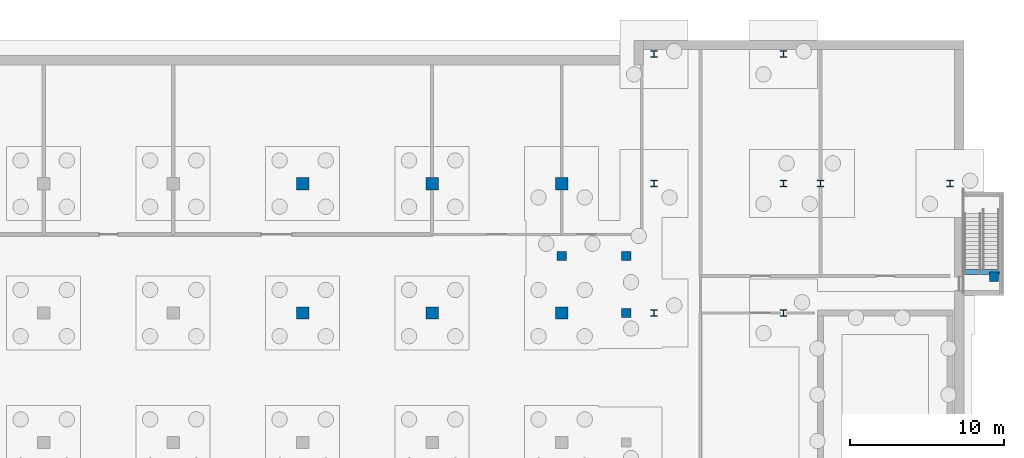
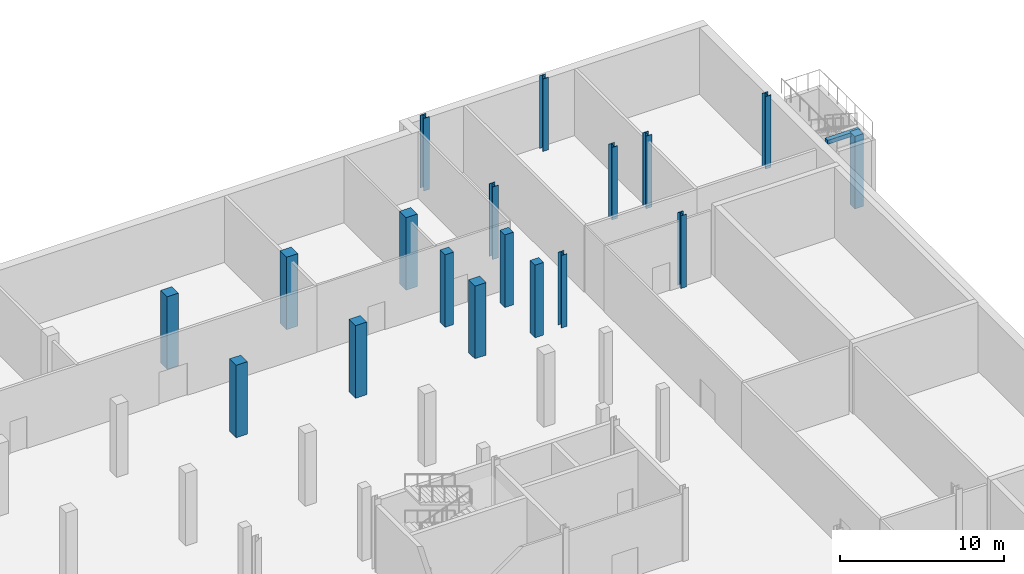
# One storey, part 12 of 29: 18 columns, 1 beam.
"""IFC4 building model written with IfcOpenShell, lengths in metres."""

from ifc_helpers import new_model, si_unit, direction, frame, origin, origin_2d, place, context, subcontext, project, spatial, rectangle, i_section, extrude, material, material_profile, profile_set, type_object, element, save


model = new_model("IFC4")

# Units and contexts
model_context = context("Model", 3, precision=1e-05, world=origin(), true_north=direction((0.0, 1.0)))
body_context = subcontext(model_context, "Body", "Model", "MODEL_VIEW")
ifc_project = project(units=[si_unit("LENGTHUNIT", "METRE"), si_unit("AREAUNIT", "SQUARE_METRE"), si_unit("VOLUMEUNIT", "CUBIC_METRE"), si_unit("PLANEANGLEUNIT", "RADIAN"), si_unit("MASSUNIT", "GRAM", prefix="KILO")], contexts=[model_context])

# Site, building, storey
site_placement = place(None, origin())
site = spatial("IfcSite", under=ifc_project, at=site_placement, CompositionType="ELEMENT")
building_placement = place(site_placement, origin())
building = spatial("IfcBuilding", under=site, at=building_placement, Name="Cresset Court Congress Hotel", CompositionType="ELEMENT")
storey_placement = place(building_placement, frame((0.0, 0.0, -5.39990234375)))
storey = spatial("IfcBuildingStorey", under=building, at=storey_placement, Name="B1", CompositionType="ELEMENT", Elevation=-5.39990234375)

# Columns
ifc_material_1 = material(Name="Concrete C40", Category="concrete")
ifc_material_profile_1 = material_profile(ifc_material_1, rectangle(XDim=0.60009765625, YDim=0.60009765625, at=origin_2d()), Name="RC600x600")
ifc_profile_set_1 = profile_set([ifc_material_profile_1], Name="Concrete C40")
column_type_1 = type_object("IfcColumnType", Name="RC column 600x600", PredefinedType="COLUMN", material=ifc_profile_set_1)
for number, where, z_axis, x_axis, name in (
    (1, (155.39990234375, 42.0, 0.0), (0.0, 0.0, 1.0), (1.0, 0.0, 0.0), "Court column D21"),
    (2, (151.199951171875, 45.699951171875, 0.0), (0.0, 0.0, 1.0), (1.0, 0.0, 0.0), "Court column D22"),
    (3, (155.39990234375, 45.699951171875, 0.0), (0.0, 0.0, 1.0), (1.0, 0.0, 0.0), "Court column D23"),
):
    element("IfcColumn", number, at=place(storey_placement, frame(where, z_axis=z_axis, x_axis=x_axis)), inside=storey, type_object=column_type_1, Name=name, PredefinedType="COLUMN", context=body_context, shape_type="SweptSolid", body=[
        extrude(rectangle(XDim=0.60009765625, YDim=0.60009765625, at=origin_2d()), origin(), (0.0, 0.0, 1.0), 5.39990234375),
    ])
column_placement = place(storey_placement, frame((179.25, 44.35009765625, -0.2001953125), z_axis=(0.0, 0.0, 1.0), x_axis=(1.0, 0.0, 0.0)))
element("IfcColumn", 4, at=column_placement, inside=storey, type_object=column_type_1, Name="Stair column A3 B1", PredefinedType="COLUMN", context=body_context, shape_type="SweptSolid", body=[
    extrude(rectangle(XDim=0.60009765625, YDim=0.60009765625, at=origin_2d()), origin(), (0.0, 0.0, 1.0), 5.400146484375),
])
ifc_material_2 = material(Name="Concrete C50", Category="concrete")
ifc_material_profile_2 = material_profile(ifc_material_2, rectangle(XDim=0.800048828125, YDim=0.800048828125, at=origin_2d()), Name="RC800x800")
ifc_profile_set_2 = profile_set([ifc_material_profile_2], Name="Concrete C50")
column_type_2 = type_object("IfcColumnType", Name="RC column 800x800", PredefinedType="COLUMN", material=ifc_profile_set_2)
for number, where, z_axis, x_axis, name in (
    (5, (134.39990234375, 42.0, 0.0), (0.0, 0.0, 1.0), (1.0, 0.0, 0.0), "Court column 16F"),
    (6, (134.39990234375, 50.39990234375, 0.0), (0.0, 0.0, 1.0), (1.0, 0.0, 0.0), "Court column 16G"),
    (7, (142.800048828125, 42.0, 0.0), (0.0, 0.0, 1.0), (1.0, 0.0, 0.0), "Court column 17F"),
    (8, (142.800048828125, 50.39990234375, 0.0), (0.0, 0.0, 1.0), (1.0, 0.0, 0.0), "Court column 17G"),
    (9, (151.199951171875, 42.0, 0.0), (0.0, 0.0, 1.0), (1.0, 0.0, 0.0), "Court column 18F"),
    (10, (151.199951171875, 50.39990234375, 0.0), (0.0, 0.0, 1.0), (1.0, 0.0, 0.0), "Court column 18G"),
):
    element("IfcColumn", number, at=place(storey_placement, frame(where, z_axis=z_axis, x_axis=x_axis)), inside=storey, type_object=column_type_2, Name=name, PredefinedType="COLUMN", context=body_context, shape_type="SweptSolid", body=[
        extrude(rectangle(XDim=0.800048828125, YDim=0.800048828125, at=origin_2d()), origin(), (0.0, 0.0, 1.0), 5.39990234375),
    ])
ifc_material_3 = material(Name="Structural steel Q355B", Category="steel")
ifc_material_profile_3 = material_profile(ifc_material_3, i_section(OverallWidth=0.406982421875, OverallDepth=0.427978515625, WebThickness=0.02001953125, FlangeThickness=0.034912109375, FilletRadius=0.02197265625, at=origin_2d()), Name="HW428x407x20x35")
ifc_profile_set_3 = profile_set([ifc_material_profile_3], Name="Structural steel Q355B")
column_type_3 = type_object("IfcColumnType", Name="Steel column HW428x407x20x35", PredefinedType="COLUMN", material=ifc_profile_set_3)
for number, where, z_axis, x_axis, name in (
    (11, (157.199951171875, 42.0, 0.0), (0.0, 0.0, 1.0), (1.0, 0.0, 0.0), "Column B1 6-20"),
    (12, (157.199951171875, 50.39990234375, 0.0), (0.0, 0.0, 1.0), (1.0, 0.0, 0.0), "Column B1 7-20"),
    (13, (157.199951171875, 58.800048828125, 0.0), (0.0, 0.0, 1.0), (1.0, 0.0, 0.0), "Column B1 8-20"),
    (14, (165.60009765625, 42.0, 0.0), (0.0, 0.0, 1.0), (1.0, 0.0, 0.0), "Column B1 6-21"),
    (15, (165.60009765625, 50.39990234375, 0.0), (0.0, 0.0, 1.0), (1.0, 0.0, 0.0), "Column B1 7-21"),
    (16, (165.60009765625, 58.800048828125, 0.0), (0.0, 0.0, 1.0), (1.0, 0.0, 0.0), "Column B1 8-21"),
    (17, (168.0, 50.39990234375, 0.0), (0.0, 0.0, 1.0), (1.0, 0.0, 0.0), "Column B1 7-22"),
    (18, (176.39990234375, 50.39990234375, 0.0), (0.0, 0.0, 1.0), (1.0, 0.0, 0.0), "Column B1 7-23"),
):
    element("IfcColumn", number, at=place(storey_placement, frame(where, z_axis=z_axis, x_axis=x_axis)), inside=storey, type_object=column_type_3, Name=name, PredefinedType="COLUMN", context=body_context, shape_type="SweptSolid", body=[
        extrude(i_section(OverallWidth=0.406982421875, OverallDepth=0.427978515625, WebThickness=0.02001953125, FlangeThickness=0.034912109375, FilletRadius=0.02197265625, at=origin_2d()), origin(), (0.0, 0.0, 1.0), 5.39990234375),
    ])

# Beam
ifc_material_4 = material(Name="Concrete C40", Category="concrete")
ifc_material_profile_4 = material_profile(ifc_material_4, rectangle(XDim=0.300048828125, YDim=0.300048828125, at=origin_2d()), Name="RC300x300")
ifc_profile_set_4 = profile_set([ifc_material_profile_4], Name="Concrete C40")
beam_type = type_object("IfcBeamType", Name="RC trimmer beam 300x300", PredefinedType="BEAM", material=ifc_profile_set_4)
beam_placement = place(storey_placement, frame((177.300048828125, 44.660888671875, 5.0498046875), z_axis=(1.0, 0.0, 0.0), x_axis=(0.0, 1.0, 0.0)))
element("IfcBeam", 19, at=beam_placement, inside=storey, type_object=beam_type, Name="Stair trimmer beam A3", PredefinedType="BEAM", context=body_context, shape_type="SweptSolid", body=[
    extrude(rectangle(XDim=0.300048828125, YDim=0.300048828125, at=origin_2d()), origin(), (0.0, 0.0, 1.0), 2.300048828125),
])

save(model, "model.ifc")
